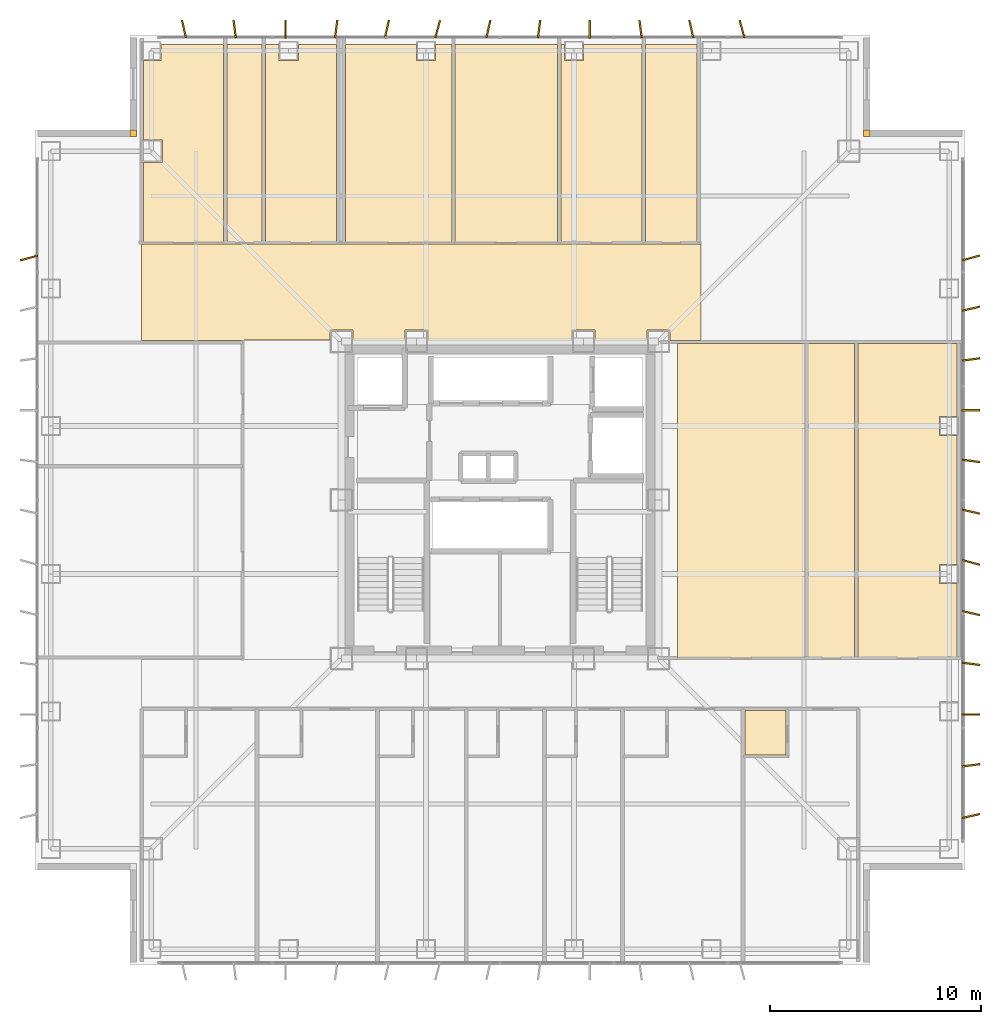
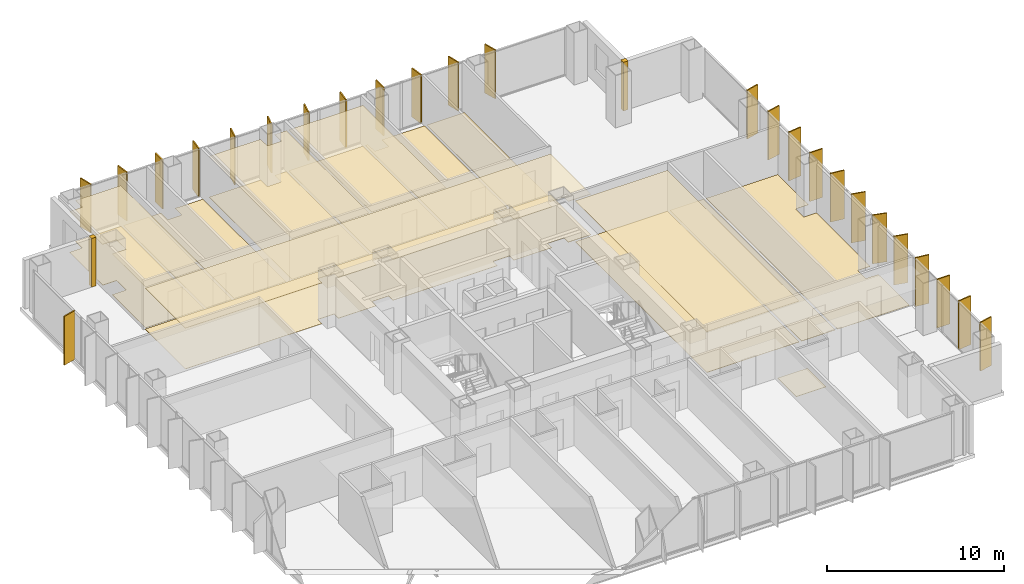
# One storey, part 18 of 18: 25 shading devices, 19 coverings.
"""IFC4 building model written with IfcOpenShell, lengths in metres."""

from ifc_helpers import new_model, si_unit, direction, frame, origin, origin_2d, place, context, subcontext, project, spatial, polyline, rectangle, outline, extrude, material, layer, layer_set, type_object, element, save


model = new_model("IFC4")

# Units and contexts
model_context = context("Model", 3, precision=1e-05, world=origin(), true_north=direction((0.0, 1.0)))
body_context = subcontext(model_context, "Body", "Model", "MODEL_VIEW")
ifc_project = project(units=[si_unit("LENGTHUNIT", "METRE"), si_unit("AREAUNIT", "SQUARE_METRE"), si_unit("VOLUMEUNIT", "CUBIC_METRE"), si_unit("PLANEANGLEUNIT", "RADIAN"), si_unit("MASSUNIT", "GRAM", prefix="KILO")], contexts=[model_context])

# Site, building, storey
site_placement = place(None, origin())
site = spatial("IfcSite", under=ifc_project, at=site_placement, CompositionType="ELEMENT")
building_placement = place(site_placement, origin())
building = spatial("IfcBuilding", under=site, at=building_placement, Name="Trevonay Congress Spire", CompositionType="ELEMENT")
storey_placement = place(building_placement, frame((0.0, 0.0, 148.0)))
storey = spatial("IfcBuildingStorey", under=building, at=storey_placement, Name="L38", CompositionType="ELEMENT", Elevation=148.0)

# Coverings
ifc_material_1 = material(Name="Acoustic Mineral Fibre Board", Category="gypsum")
ifc_layer_1 = layer(ifc_material_1, 0.02490234375, Name="Acoustic Mineral Fibre Board")
ifc_layer_set_1 = layer_set([ifc_layer_1], Name="Acoustic Mineral Fibre Board")
covering_type_1 = type_object("IfcCoveringType", Name="COV-CEIL-ACOUSTIC", PredefinedType="CEILING", material=ifc_layer_set_1)
covering_1_placement = place(storey_placement, frame((0.0, 0.0, 2.81005859375)))
element("IfcCovering", 1, at=covering_1_placement, inside=storey, type_object=covering_type_1, Name="L38 North Sky Promenade Salon acoustic suspended ceiling", PredefinedType="CEILING", context=body_context, shape_type="SweptSolid", body=[
    extrude(outline(polyline([(-16.949951171875, 12.10009765625), (9.5, 12.10009765625), (9.5, 7.550048828125), (8.034912109375, 7.550048828125), (8.034912109375, 8.034912109375), (6.965087890625, 8.034912109375), (6.965087890625, 7.550048828125), (4.485107421875, 7.550048828125), (4.485107421875, 8.034912109375), (3.4150390625, 8.034912109375), (3.4150390625, 7.550048828125), (-3.4150390625, 7.550048828125), (-3.4150390625, 8.034912109375), (-4.485107421875, 8.034912109375), (-4.485107421875, 7.550048828125), (-6.965087890625, 7.550048828125), (-6.965087890625, 8.034912109375), (-8.034912109375, 8.034912109375), (-8.034912109375, 7.56005859375), (-12.110107421875, 7.56005859375), (-12.110107421875, 7.550048828125), (-16.949951171875, 7.550048828125), (-16.949951171875, 12.10009765625)])), origin(), (0.0, 0.0, 1.0), 0.02490234375),
])
covering_2_placement = place(storey_placement, frame((0.0, 0.0, 2.81005859375)))
element("IfcCovering", 2, at=covering_2_placement, inside=storey, type_object=covering_type_1, Name="L38 Treaty Delegation Office acoustic suspended ceiling", PredefinedType="CEILING", context=body_context, shape_type="SweptSolid", body=[
    extrude(outline(polyline([(-13.080078125, 21.550048828125), (-13.080078125, 12.179931640625), (-16.8701171875, 12.179931640625), (-16.8701171875, 15.965087890625), (-15.965087890625, 15.965087890625), (-15.965087890625, 17.034912109375), (-16.8701171875, 17.034912109375), (-16.8701171875, 20.7900390625), (-16.0400390625, 20.7900390625), (-16.0400390625, 21.550048828125), (-13.080078125, 21.550048828125)])), origin(), (0.0, 0.0, 1.0), 0.02490234375),
])
covering_3_placement = place(storey_placement, frame((0.0, 0.0, 2.81005859375)))
element("IfcCovering", 3, at=covering_3_placement, inside=storey, type_object=covering_type_1, Name="L38 Protocol Advisors Office 1 acoustic suspended ceiling", PredefinedType="CEILING", context=body_context, shape_type="SweptSolid", body=[
    extrude(outline(polyline([(-2.280029296875, 21.550048828125), (-2.280029296875, 12.179931640625), (-7.320068359375, 12.179931640625), (-7.320068359375, 21.550048828125), (-3.9599609375, 21.550048828125), (-3.9599609375, 20.7900390625), (-3.0400390625, 20.7900390625), (-3.0400390625, 21.550048828125), (-2.280029296875, 21.550048828125)])), origin(), (0.0, 0.0, 1.0), 0.02490234375),
])
covering_4_placement = place(storey_placement, frame((0.0, 0.0, 2.81005859375)))
element("IfcCovering", 4, at=covering_4_placement, inside=storey, type_object=covering_type_1, Name="L38 Protocol Advisors Office 2 acoustic suspended ceiling", PredefinedType="CEILING", context=body_context, shape_type="SweptSolid", body=[
    extrude(outline(polyline([(-2.1201171875, 12.179931640625), (2.719970703125, 12.179931640625), (2.719970703125, 21.550048828125), (-2.1201171875, 21.550048828125), (-2.1201171875, 12.179931640625)])), origin(), (0.0, 0.0, 1.0), 0.02490234375),
])
covering_5_placement = place(storey_placement, frame((0.0, 0.0, 2.81005859375)))
element("IfcCovering", 5, at=covering_5_placement, inside=storey, type_object=covering_type_1, Name="L38 Security Liaison Office acoustic suspended ceiling", PredefinedType="CEILING", context=body_context, shape_type="SweptSolid", body=[
    extrude(outline(polyline([(8.39990234375, -7.47998046875), (14.419921875, -7.47998046875), (14.419921875, 7.39990234375), (8.39990234375, 7.39990234375), (8.39990234375, -7.47998046875)])), origin(), (0.0, 0.0, 1.0), 0.02490234375),
])
ifc_material_2 = material(Name="Polished Granite Floor Tile", Category="masonry")
ifc_layer_2 = layer(ifc_material_2, 0.02001953125, Name="Polished Granite Floor Tile")
ifc_layer_set_2 = layer_set([ifc_layer_2], Name="Polished Granite Floor Tile")
covering_type_2 = type_object("IfcCoveringType", Name="COV-FLOOR-STONE", PredefinedType="FLOORING", material=ifc_layer_set_2)
covering_6_placement = place(storey_placement, origin())
element("IfcCovering", 6, at=covering_6_placement, inside=storey, type_object=covering_type_2, Name="L38 En-suite Bathroom floor finish", PredefinedType="FLOORING", context=body_context, shape_type="SweptSolid", body=[
    extrude(outline(polyline([(11.580078125, -12.070068359375), (13.530029296875, -12.070068359375), (13.530029296875, -9.9599609375), (11.580078125, -9.9599609375), (11.580078125, -12.070068359375)])), origin(), (0.0, 0.0, 1.0), 0.02001953125),
])
covering_7_placement = place(storey_placement, origin())
element("IfcCovering", 7, at=covering_7_placement, inside=storey, type_object=covering_type_2, Name="L38 Accessible WC floor finish", PredefinedType="FLOORING", context=body_context, shape_type="SweptSolid", body=[
    extrude(outline(polyline([(-12.919921875, 12.179931640625), (-11.25, 12.179931640625), (-11.25, 21.550048828125), (-12.919921875, 21.550048828125), (-12.919921875, 12.179931640625)])), origin(), (0.0, 0.0, 1.0), 0.02001953125),
])
covering_8_placement = place(storey_placement, origin())
element("IfcCovering", 8, at=covering_8_placement, inside=storey, type_object=covering_type_2, Name="L38 Floor Supplies and Copy Room floor finish", PredefinedType="FLOORING", context=body_context, shape_type="SweptSolid", body=[
    extrude(outline(polyline([(-7.72998046875, 21.550048828125), (-7.72998046875, 12.179931640625), (-11.090087890625, 12.179931640625), (-11.090087890625, 21.550048828125), (-10.4599609375, 21.550048828125), (-10.4599609375, 20.7900390625), (-9.5400390625, 20.7900390625), (-9.5400390625, 21.550048828125), (-7.72998046875, 21.550048828125)])), origin(), (0.0, 0.0, 1.0), 0.02001953125),
])
covering_9_placement = place(storey_placement, origin())
element("IfcCovering", 9, at=covering_9_placement, inside=storey, type_object=covering_type_2, Name="L38 Housekeeping and Linen Room floor finish", PredefinedType="FLOORING", context=body_context, shape_type="SweptSolid", body=[
    extrude(outline(polyline([(6.719970703125, 21.550048828125), (6.719970703125, 12.179931640625), (2.8798828125, 12.179931640625), (2.8798828125, 21.550048828125), (3.0400390625, 21.550048828125), (3.0400390625, 20.7900390625), (3.9599609375, 20.7900390625), (3.9599609375, 21.550048828125), (6.719970703125, 21.550048828125)])), origin(), (0.0, 0.0, 1.0), 0.02001953125),
])
covering_10_placement = place(storey_placement, origin())
element("IfcCovering", 10, at=covering_10_placement, inside=storey, type_object=covering_type_2, Name="L38 Female Restroom WC floor finish", PredefinedType="FLOORING", context=body_context, shape_type="SweptSolid", body=[
    extrude(outline(polyline([(6.8798828125, 12.179931640625), (9.320068359375, 12.179931640625), (9.320068359375, 21.550048828125), (6.8798828125, 21.550048828125), (6.8798828125, 12.179931640625)])), origin(), (0.0, 0.0, 1.0), 0.02001953125),
])
covering_11_placement = place(storey_placement, origin())
element("IfcCovering", 11, at=covering_11_placement, inside=storey, type_object=covering_type_2, Name="L38 Male Restroom WC floor finish", PredefinedType="FLOORING", context=body_context, shape_type="SweptSolid", body=[
    extrude(outline(polyline([(14.580078125, -7.47998046875), (16.77001953125, -7.47998046875), (16.77001953125, 7.39990234375), (14.580078125, 7.39990234375), (14.580078125, -7.47998046875)])), origin(), (0.0, 0.0, 1.0), 0.02001953125),
])
covering_12_placement = place(storey_placement, origin())
element("IfcCovering", 12, at=covering_12_placement, inside=storey, type_object=covering_type_2, Name="L38 Floor Supplies and Copy Room floor finish", PredefinedType="FLOORING", context=body_context, shape_type="SweptSolid", body=[
    extrude(outline(polyline([(21.6201171875, -7.47998046875), (16.929931640625, -7.47998046875), (16.929931640625, 7.39990234375), (21.6201171875, 7.39990234375), (21.6201171875, 3.9599609375), (20.7900390625, 3.9599609375), (20.7900390625, 3.0400390625), (21.6201171875, 3.0400390625), (21.6201171875, -3.0400390625), (20.7900390625, -3.0400390625), (20.7900390625, -3.9599609375), (21.6201171875, -3.9599609375), (21.6201171875, -7.47998046875)])), origin(), (0.0, 0.0, 1.0), 0.02001953125),
])
ifc_material_3 = material(Name="Engineered Oak Flooring", Category="wood")
ifc_layer_3 = layer(ifc_material_3, 0.01806640625, Name="Engineered Oak Flooring")
ifc_layer_set_3 = layer_set([ifc_layer_3], Name="Engineered Oak Flooring")
covering_type_3 = type_object("IfcCoveringType", Name="COV-FLOOR-TIMBER", PredefinedType="FLOORING", material=ifc_layer_set_3)
covering_13_placement = place(storey_placement, origin())
element("IfcCovering", 13, at=covering_13_placement, inside=storey, type_object=covering_type_3, Name="L38 North Sky Promenade Salon floor finish", PredefinedType="FLOORING", context=body_context, shape_type="SweptSolid", body=[
    extrude(outline(polyline([(-16.949951171875, 12.10009765625), (9.5, 12.10009765625), (9.5, 7.550048828125), (8.034912109375, 7.550048828125), (8.034912109375, 8.034912109375), (6.965087890625, 8.034912109375), (6.965087890625, 7.550048828125), (4.485107421875, 7.550048828125), (4.485107421875, 8.034912109375), (3.4150390625, 8.034912109375), (3.4150390625, 7.550048828125), (-3.4150390625, 7.550048828125), (-3.4150390625, 8.034912109375), (-4.485107421875, 8.034912109375), (-4.485107421875, 7.550048828125), (-6.965087890625, 7.550048828125), (-6.965087890625, 8.034912109375), (-8.034912109375, 8.034912109375), (-8.034912109375, 7.56005859375), (-12.110107421875, 7.56005859375), (-12.110107421875, 7.550048828125), (-16.949951171875, 7.550048828125), (-16.949951171875, 12.10009765625)])), origin(), (0.0, 0.0, 1.0), 0.01806640625),
])
covering_14_placement = place(storey_placement, origin())
element("IfcCovering", 14, at=covering_14_placement, inside=storey, type_object=covering_type_3, Name="L38 Treaty Delegation Office floor finish", PredefinedType="FLOORING", context=body_context, shape_type="SweptSolid", body=[
    extrude(outline(polyline([(-13.080078125, 21.550048828125), (-13.080078125, 12.179931640625), (-16.8701171875, 12.179931640625), (-16.8701171875, 15.965087890625), (-15.965087890625, 15.965087890625), (-15.965087890625, 17.034912109375), (-16.8701171875, 17.034912109375), (-16.8701171875, 20.7900390625), (-16.0400390625, 20.7900390625), (-16.0400390625, 21.550048828125), (-13.080078125, 21.550048828125)])), origin(), (0.0, 0.0, 1.0), 0.01806640625),
])
covering_15_placement = place(storey_placement, origin())
element("IfcCovering", 15, at=covering_15_placement, inside=storey, type_object=covering_type_3, Name="L38 Protocol Advisors Office 1 floor finish", PredefinedType="FLOORING", context=body_context, shape_type="SweptSolid", body=[
    extrude(outline(polyline([(-2.280029296875, 21.550048828125), (-2.280029296875, 12.179931640625), (-7.320068359375, 12.179931640625), (-7.320068359375, 21.550048828125), (-3.9599609375, 21.550048828125), (-3.9599609375, 20.7900390625), (-3.0400390625, 20.7900390625), (-3.0400390625, 21.550048828125), (-2.280029296875, 21.550048828125)])), origin(), (0.0, 0.0, 1.0), 0.01806640625),
])
covering_16_placement = place(storey_placement, origin())
element("IfcCovering", 16, at=covering_16_placement, inside=storey, type_object=covering_type_3, Name="L38 Protocol Advisors Office 2 floor finish", PredefinedType="FLOORING", context=body_context, shape_type="SweptSolid", body=[
    extrude(outline(polyline([(-2.1201171875, 12.179931640625), (2.719970703125, 12.179931640625), (2.719970703125, 21.550048828125), (-2.1201171875, 21.550048828125), (-2.1201171875, 12.179931640625)])), origin(), (0.0, 0.0, 1.0), 0.01806640625),
])
covering_17_placement = place(storey_placement, origin())
element("IfcCovering", 17, at=covering_17_placement, inside=storey, type_object=covering_type_3, Name="L38 Security Liaison Office floor finish", PredefinedType="FLOORING", context=body_context, shape_type="SweptSolid", body=[
    extrude(outline(polyline([(8.39990234375, -7.47998046875), (14.419921875, -7.47998046875), (14.419921875, 7.39990234375), (8.39990234375, 7.39990234375), (8.39990234375, -7.47998046875)])), origin(), (0.0, 0.0, 1.0), 0.01806640625),
])
ifc_material_4 = material(Name="Pale Anodised Aluminium EN AW-6063-T6", Category="aluminium")
ifc_layer_4 = layer(ifc_material_4, 0.0400390625, Name="Pale Anodised Aluminium EN AW-6063-T6")
ifc_layer_set_4 = layer_set([ifc_layer_4], Name="Pale Anodised Aluminium EN AW-6063-T6")
covering_type_4 = type_object("IfcCoveringType", Name="COV-SPANDREL-PALE-METAL", PredefinedType="CLADDING", material=ifc_layer_set_4)
covering_18_placement = place(storey_placement, origin())
element("IfcCovering", 18, at=covering_18_placement, inside=storey, type_object=covering_type_4, Name="L38 NE re-entrant notch corner closure trim", PredefinedType="CLADDING", context=body_context, shape_type="SweptSolid", body=[
    extrude(outline(polyline([(17.199951171875, 17.199951171875), (17.5, 17.199951171875), (17.5, 17.5), (17.199951171875, 17.5), (17.199951171875, 17.199951171875)])), origin(), (0.0, 0.0, 1.0), 3.360107421875),
])
covering_19_placement = place(storey_placement, origin())
element("IfcCovering", 19, at=covering_19_placement, inside=storey, type_object=covering_type_4, Name="L38 NW re-entrant notch corner closure trim", PredefinedType="CLADDING", context=body_context, shape_type="SweptSolid", body=[
    extrude(outline(polyline([(-17.5, 17.199951171875), (-17.199951171875, 17.199951171875), (-17.199951171875, 17.5), (-17.5, 17.5), (-17.5, 17.199951171875)])), origin(), (0.0, 0.0, 1.0), 3.360107421875),
])

# Shading devices
shading_device_type = type_object("IfcShadingDeviceType", Name="SHD-FIN-Z2-PALE-METAL", PredefinedType="USERDEFINED", material=ifc_material_4)
for number, where, z_axis, x_axis, name in (
    (20, (-14.949951171875, 22.280029296875, 0.0), (0.0, 0.0, 1.0), (0.97440931131, 0.224780991261, 0.0), "L38 N vertical pale-metal solar fin 1"),
    (21, (-12.550048828125, 22.280029296875, 0.0), (0.0, 0.0, 1.0), (0.991444861374, 0.13052619222, 0.0), "L38 N vertical pale-metal solar fin 2"),
    (22, (-10.14990234375, 22.280029296875, 0.0), (0.0, 0.0, 1.0), (1.0, 0.0, 0.0), "L38 N vertical pale-metal solar fin 3"),
    (23, (-7.75, 22.280029296875, 0.0), (0.0, 0.0, 1.0), (0.991444861374, -0.13052619222, 0.0), "L38 N vertical pale-metal solar fin 4"),
    (24, (-5.35009765625, 22.280029296875, 0.0), (0.0, 0.0, 1.0), (0.97440931131, -0.224780991261, 0.0), "L38 N vertical pale-metal solar fin 5"),
    (25, (-2.949951171875, 22.280029296875, 0.0), (0.0, 0.0, 1.0), (0.965925826289, -0.258819045103, 0.0), "L38 N vertical pale-metal solar fin 6"),
    (26, (-0.550048828125, 22.280029296875, 0.0), (0.0, 0.0, 1.0), (0.97440931131, -0.224780991261, 0.0), "L38 N vertical pale-metal solar fin 7"),
    (27, (1.85009765625, 22.280029296875, 0.0), (0.0, 0.0, 1.0), (0.991444861374, -0.13052619222, 0.0), "L38 N vertical pale-metal solar fin 8"),
    (28, (4.25, 22.280029296875, 0.0), (0.0, 0.0, 1.0), (1.0, 0.0, 0.0), "L38 N vertical pale-metal solar fin 9"),
    (29, (6.64990234375, 22.280029296875, 0.0), (0.0, 0.0, 1.0), (0.991444861374, 0.13052619222, 0.0), "L38 N vertical pale-metal solar fin 10"),
    (30, (9.050048828125, 22.280029296875, 0.0), (0.0, 0.0, 1.0), (0.97440931131, 0.224780991261, 0.0), "L38 N vertical pale-metal solar fin 11"),
    (31, (11.449951171875, 22.280029296875, 0.0), (0.0, 0.0, 1.0), (0.965925826289, 0.258819045103, 0.0), "L38 N vertical pale-metal solar fin 12"),
    (32, (-22.280029296875, 11.449951171875, 0.0), (0.0, 0.0, 1.0), (-0.258819045103, 0.965925826289, 0.0), "L38 W vertical pale-metal solar fin 12"),
    (33, (22.280029296875, -14.949951171875, 0.0), (0.0, 0.0, 1.0), (-0.224780991261, 0.97440931131, 0.0), "L38 E vertical pale-metal solar fin 1"),
    (34, (22.280029296875, -12.550048828125, 0.0), (0.0, 0.0, 1.0), (-0.13052619222, 0.991444861374, 0.0), "L38 E vertical pale-metal solar fin 2"),
    (35, (22.280029296875, -10.14990234375, 0.0), (0.0, 0.0, 1.0), (0.0, 1.0, 0.0), "L38 E vertical pale-metal solar fin 3"),
    (36, (22.280029296875, -7.75, 0.0), (0.0, 0.0, 1.0), (0.13052619222, 0.991444861374, 0.0), "L38 E vertical pale-metal solar fin 4"),
    (37, (22.280029296875, -5.35009765625, 0.0), (0.0, 0.0, 1.0), (0.224780991261, 0.97440931131, 0.0), "L38 E vertical pale-metal solar fin 5"),
    (38, (22.280029296875, -2.949951171875, 0.0), (0.0, 0.0, 1.0), (0.258819045103, 0.965925826289, 0.0), "L38 E vertical pale-metal solar fin 6"),
    (39, (22.280029296875, -0.550048828125, 0.0), (0.0, 0.0, 1.0), (0.224780991261, 0.97440931131, 0.0), "L38 E vertical pale-metal solar fin 7"),
    (40, (22.280029296875, 1.85009765625, 0.0), (0.0, 0.0, 1.0), (0.13052619222, 0.991444861374, 0.0), "L38 E vertical pale-metal solar fin 8"),
    (41, (22.280029296875, 4.25, 0.0), (0.0, 0.0, 1.0), (0.0, 1.0, 0.0), "L38 E vertical pale-metal solar fin 9"),
    (42, (22.280029296875, 6.64990234375, 0.0), (0.0, 0.0, 1.0), (-0.13052619222, 0.991444861374, 0.0), "L38 E vertical pale-metal solar fin 10"),
    (43, (22.280029296875, 9.050048828125, 0.0), (0.0, 0.0, 1.0), (-0.224780991261, 0.97440931131, 0.0), "L38 E vertical pale-metal solar fin 11"),
    (44, (22.280029296875, 11.449951171875, 0.0), (0.0, 0.0, 1.0), (-0.258819045103, 0.965925826289, 0.0), "L38 E vertical pale-metal solar fin 12"),
):
    element("IfcShadingDevice", number, at=place(storey_placement, frame(where, z_axis=z_axis, x_axis=x_axis)), inside=storey, type_object=shading_device_type, Name=name, ObjectType="SOLAR FIN", PredefinedType="USERDEFINED", context=body_context, shape_type="SweptSolid", body=[
        extrude(rectangle(XDim=0.080078125, YDim=0.85009765625, at=origin_2d()), origin(), (0.0, 0.0, 1.0), 3.360107421875),
    ])

save(model, "model.ifc")
